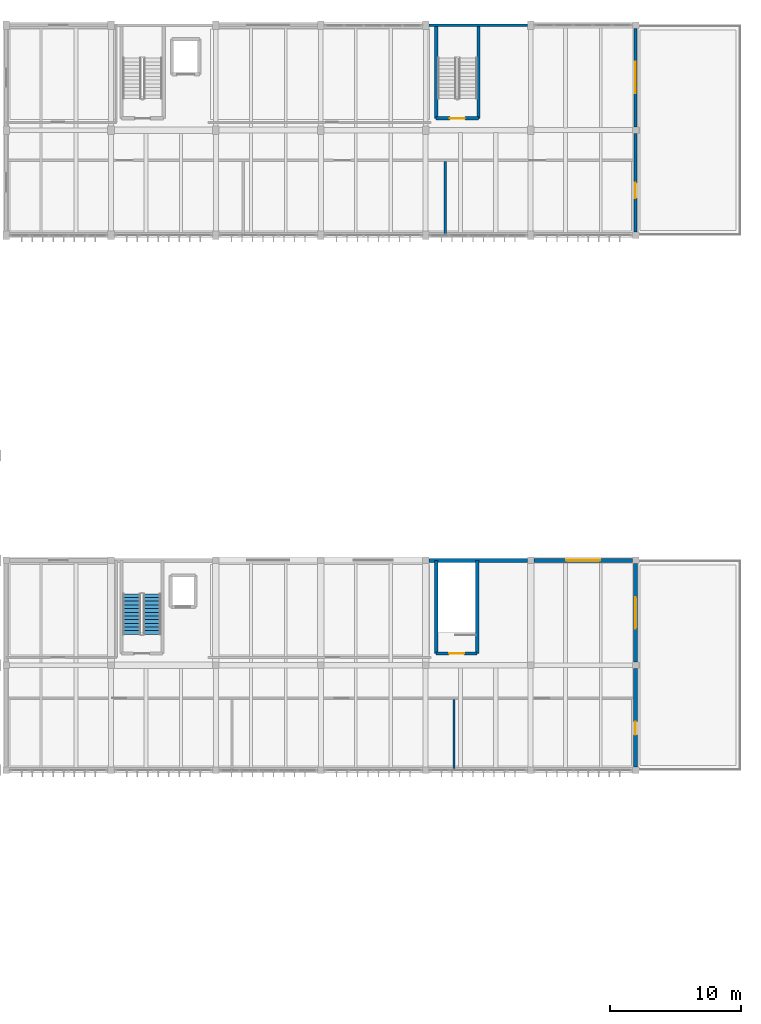
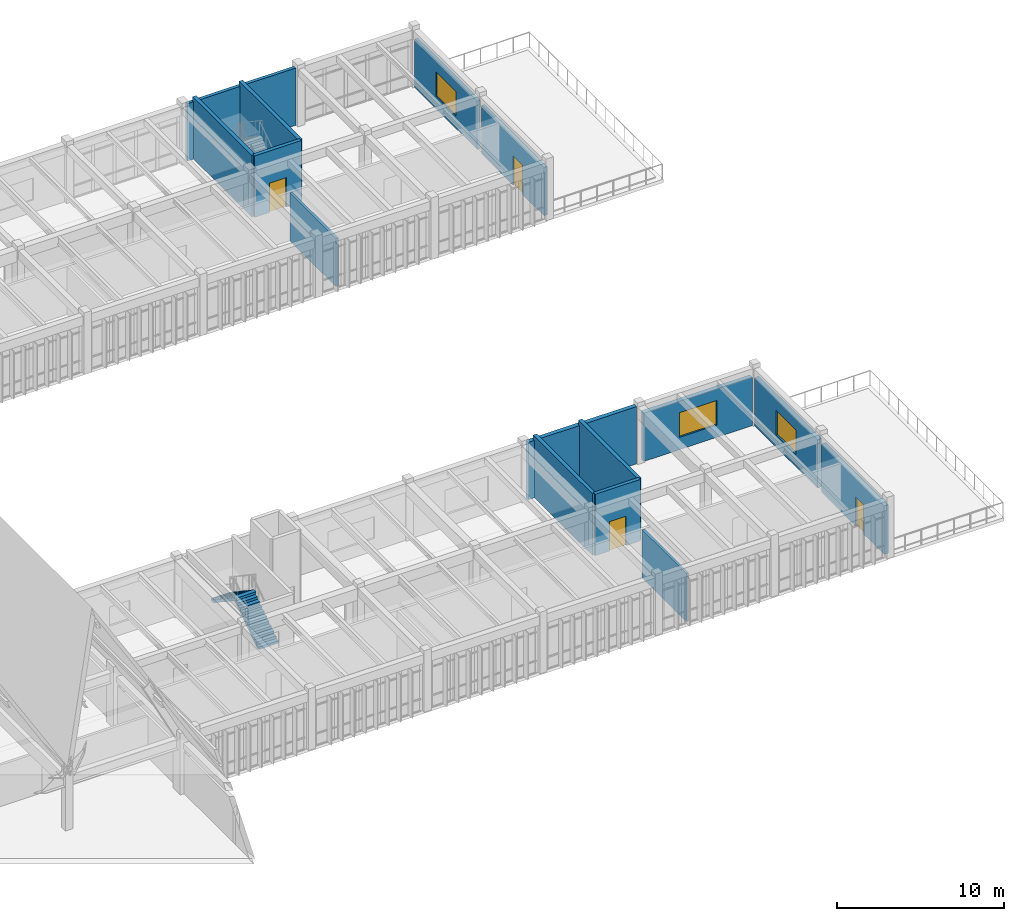
# One storey, part 56 of 72: 15 walls, 4 doors, 3 windows, 2 stair flights, 7 openings, 1 element without a shape of its own.
"""IFC4 building model written with IfcOpenShell, lengths in metres."""

from ifc_helpers import new_model, si_unit, direction, frame, frame_2d, origin, place, context, subcontext, project, spatial, polyline, rectangle, outline, extrude, material, layer, layer_set, type_object, element, fill, aggregate, save


model = new_model("IFC4")

# Units and contexts
model_context = context("Model", 3, precision=1e-05, world=origin(), true_north=direction((0.0, 1.0)))
body_context = subcontext(model_context, "Body", "Model", "MODEL_VIEW")
ifc_project = project(units=[si_unit("LENGTHUNIT", "METRE"), si_unit("AREAUNIT", "SQUARE_METRE"), si_unit("VOLUMEUNIT", "CUBIC_METRE"), si_unit("PLANEANGLEUNIT", "RADIAN"), si_unit("MASSUNIT", "GRAM", prefix="KILO")], contexts=[model_context])

# Site, building, storey
site_placement = place(None, origin())
site = spatial("IfcSite", under=ifc_project, at=site_placement, CompositionType="ELEMENT")
building_placement = place(site_placement, origin())
building = spatial("IfcBuilding", under=site, at=building_placement, Name="Tlaxcora Railside Police Headquarters", CompositionType="ELEMENT")
storey_placement = place(building_placement, frame((0.0, 0.0, 13.5)))
storey = spatial("IfcBuildingStorey", under=building, at=storey_placement, Name="L03", CompositionType="ELEMENT", Elevation=13.5)

# Walls
ifc_material_1 = material(Name="Gypsum acoustic partition board")
ifc_layer_1 = layer(ifc_material_1, 0.175048828125, Name="Gypsum acoustic partition board")
ifc_layer_set_1 = layer_set([ifc_layer_1], Name="Gypsum acoustic partition board")
wall_type_1 = type_object("IfcWallType", Name="Interior Partition Wall IW-22", PredefinedType="PARTITIONING", material=ifc_layer_set_1)
wall_1_placement = place(storey_placement, frame((136.280029296875, 76.8798828125, 0.0), z_axis=(0.0, 0.0, 1.0), x_axis=(0.0, 1.0, 0.0)))
element("IfcWall", 1, at=wall_1_placement, inside=storey, type_object=wall_type_1, Name="V6 L03 interior partition 184", PredefinedType="PARTITIONING", context=body_context, shape_type="SweptSolid", body=[
    extrude(rectangle(XDim=5.52001953125, YDim=0.175048828125, at=frame_2d((2.760009765625, 0.0))), origin(), (0.0, 0.0, 1.0), 3.52490234375),
])
ifc_layer_2 = layer(ifc_material_1, 0.159912109375, Name="Gypsum acoustic partition board")
ifc_layer_set_2 = layer_set([ifc_layer_2], Name="Gypsum acoustic partition board")
wall_type_2 = type_object("IfcWallType", Name="Interior Partition Wall IW-73", PredefinedType="PARTITIONING", material=ifc_layer_set_2)
wall_2_placement = place(storey_placement, frame((136.9580078125, 36.080078125, 0.0), z_axis=(0.0, 0.0, 1.0), x_axis=(0.0, 1.0, 0.0)))
element("IfcWall", 2, at=wall_2_placement, inside=storey, type_object=wall_type_2, Name="V7 L03 interior partition 178", PredefinedType="PARTITIONING", context=body_context, shape_type="SweptSolid", body=[
    extrude(rectangle(XDim=5.31982421875, YDim=0.159912109375, at=frame_2d((2.659912109375, 0.0))), origin(), (0.0, 0.0, 1.0), 3.52490234375),
])

# Wall, opening, door
ifc_material_2 = material(Name="Concrete C40/50", Category="concrete")
ifc_layer_3 = layer(ifc_material_2, 0.25, Name="Concrete C40/50")
ifc_layer_set_3 = layer_set([ifc_layer_3], Name="Concrete C40/50")
wall_type_3 = type_object("IfcWallType", Name="Shear Core Wall IW-13", PredefinedType="SHEAR", material=ifc_layer_set_3)
wall_3_placement = place(storey_placement, frame((135.60009765625, 85.699951171875, 0.0), z_axis=(0.0, 0.0, 1.0), x_axis=(1.0, 0.0, 0.0)))
wall_3 = element("IfcWall", 3, at=wall_3_placement, inside=storey, type_object=wall_type_3, Name="CORE-C3B L03 stair core wall S", PredefinedType="SHEAR", context=body_context, shape_type="SweptSolid", body=[
    extrude(rectangle(XDim=3.219970703125, YDim=0.25, at=frame_2d((1.60986328125, 0.0))), origin(), (0.0, 0.0, 1.0), 4.5),
])
opening_1_placement = place(wall_3_placement, frame((1.034912109375, 0.0, 0.0)))
opening_1 = element("IfcOpeningElement", 4, at=opening_1_placement, cuts=wall_3, Name="Opening SD-L03-029", PredefinedType="OPENING", context=body_context, shape_type="SweptSolid", body=[
    extrude(rectangle(XDim=1.14990234375, YDim=2.14990234375, at=frame_2d((0.574951171875, 1.074951171875))), frame((0.0, 0.135009765625, 0.0), z_axis=(0.0, -1.0, 0.0), x_axis=(1.0, 0.0, 0.0)), (0.0, 0.0, 1.0), 0.27001953125),
])
ifc_material_3 = material(Name="Steel ASTM A992 Grade 50", Category="steel")
door_type_1 = type_object("IfcDoorType", Name="Swing or Sliding Personnel Door ID-73", OperationType="NOTDEFINED", PredefinedType="DOOR", material=ifc_material_3)
door_1_placement = place(opening_1_placement, origin())
door_1 = element("IfcDoor", 5, at=door_1_placement, inside=storey, type_object=door_type_1, Name="Stair ST8 L03 enclosure fire door", OperationType="SINGLE_SWING_LEFT", OverallHeight=2.14990234375, OverallWidth=1.14990234375, PredefinedType="DOOR", context=body_context, shape_type="SweptSolid", body=[
    extrude(rectangle(XDim=1.14990234375, YDim=2.14990234375, at=frame_2d((0.574951171875, 1.074951171875))), frame((0.0, 0.02490234375, 0.0), z_axis=(0.0, -1.0, 0.0), x_axis=(1.0, 0.0, 0.0)), (0.0, 0.0, 1.0), 0.050048828125),
])
fill(opening_1, door_1)

# Walls
for number, where, z_axis, x_axis, name in (
    (6, (138.820068359375, 85.699951171875, 0.0), (0.0, 0.0, 1.0), (0.0, 1.0, 0.0), "CORE-C3B L03 stair core wall E"),
    (7, (135.60009765625, 92.800048828125, 0.0), (0.0, 0.0, 1.0), (0.0, -1.0, 0.0), "CORE-C3B L03 stair core wall W"),
):
    element("IfcWall", number, at=place(storey_placement, frame(where, z_axis=z_axis, x_axis=x_axis)), inside=storey, type_object=wall_type_3, Name=name, PredefinedType="SHEAR", context=body_context, shape_type="SweptSolid", body=[
        extrude(rectangle(XDim=7.10009765625, YDim=0.25, at=frame_2d((3.550048828125, 0.0))), origin(), (0.0, 0.0, 1.0), 4.5),
    ])

# Wall, opening, door
wall_4_placement = place(storey_placement, frame((135.60009765625, 44.89990234375, 0.0), z_axis=(0.0, 0.0, 1.0), x_axis=(1.0, 0.0, 0.0)))
wall_4 = element("IfcWall", 8, at=wall_4_placement, inside=storey, type_object=wall_type_3, Name="CORE-C7B L03 stair core wall S", PredefinedType="SHEAR", context=body_context, shape_type="SweptSolid", body=[
    extrude(rectangle(XDim=3.119873046875, YDim=0.25, at=frame_2d((1.56005859375, 0.0))), origin(), (0.0, 0.0, 1.0), 4.5),
])
opening_2_placement = place(wall_4_placement, frame((0.985107421875, 0.0, 0.0)))
opening_2 = element("IfcOpeningElement", 9, at=opening_2_placement, cuts=wall_4, Name="Opening SD-L03-054", PredefinedType="OPENING", context=body_context, shape_type="SweptSolid", body=[
    extrude(rectangle(XDim=1.14990234375, YDim=2.14990234375, at=frame_2d((0.574951171875, 1.074951171875))), frame((0.0, 0.135009765625, 0.0), z_axis=(0.0, -1.0, 0.0), x_axis=(1.0, 0.0, 0.0)), (0.0, 0.0, 1.0), 0.27001953125),
])
door_2_placement = place(opening_2_placement, origin())
door_2 = element("IfcDoor", 10, at=door_2_placement, inside=storey, type_object=door_type_1, Name="Stair ST11 L03 enclosure fire door", OperationType="SINGLE_SWING_RIGHT", OverallHeight=2.14990234375, OverallWidth=1.14990234375, PredefinedType="DOOR", context=body_context, shape_type="SweptSolid", body=[
    extrude(rectangle(XDim=1.14990234375, YDim=2.14990234375, at=frame_2d((0.574951171875, 1.074951171875))), frame((0.0, 0.02490234375, 0.0), z_axis=(0.0, -1.0, 0.0), x_axis=(1.0, 0.0, 0.0)), (0.0, 0.0, 1.0), 0.050048828125),
])
fill(opening_2, door_2)

# Walls
for number, where, z_axis, x_axis, name in (
    (11, (138.719970703125, 44.89990234375, 0.0), (0.0, 0.0, 1.0), (0.0, 1.0, 0.0), "CORE-C7B L03 stair core wall E"),
    (12, (135.60009765625, 52.0, 0.0), (0.0, 0.0, 1.0), (0.0, -1.0, 0.0), "CORE-C7B L03 stair core wall W"),
):
    element("IfcWall", number, at=place(storey_placement, frame(where, z_axis=z_axis, x_axis=x_axis)), inside=storey, type_object=wall_type_3, Name=name, PredefinedType="SHEAR", context=body_context, shape_type="SweptSolid", body=[
        extrude(rectangle(XDim=7.10009765625, YDim=0.25, at=frame_2d((3.550048828125, 0.0))), origin(), (0.0, 0.0, 1.0), 4.5),
    ])

# Wall, opening, door
ifc_material_4 = material(Name="Precast concrete C40/50", Category="concrete")
ifc_layer_4 = layer(ifc_material_4, 0.22509765625, Name="Precast concrete C40/50")
ifc_layer_set_4 = layer_set([ifc_layer_4], Name="Precast concrete C40/50")
wall_type_4 = type_object("IfcWallType", Name="Structural Bearing Wall EW-69", PredefinedType="SOLIDWALL", material=ifc_layer_set_4)
wall_5_placement = place(storey_placement, frame((150.800048828125, 77.050048828125, 0.0), z_axis=(0.0, 0.0, 1.0), x_axis=(0.0, 1.0, 0.0)))
wall_5 = element("IfcWall", 13, at=wall_5_placement, inside=storey, type_object=wall_type_4, Name="V6 L03 exterior wall 1.0", PredefinedType="SOLIDWALL", context=body_context, shape_type="SweptSolid", body=[
    extrude(rectangle(XDim=7.5, YDim=0.22509765625, at=frame_2d((3.75, 0.0))), origin(), (0.0, 0.0, 1.0), 3.5400390625),
])
opening_3_placement = place(wall_5_placement, frame((2.574951171875, 0.0, 0.0)))
opening_3 = element("IfcOpeningElement", 14, at=opening_3_placement, cuts=wall_5, Name="Opening TD-09", PredefinedType="OPENING", context=body_context, shape_type="SweptSolid", body=[
    extrude(rectangle(XDim=1.14990234375, YDim=2.14990234375, at=frame_2d((0.574951171875, 1.074951171875))), frame((0.0, 0.12255859375, 0.0), z_axis=(0.0, -1.0, 0.0), x_axis=(1.0, 0.0, 0.0)), (0.0, 0.0, 1.0), 0.2451171875),
])
ifc_material_5 = material(Name="Anodised aluminium framing", Category="aluminium")
door_type_2 = type_object("IfcDoorType", Name="Swing or Sliding Personnel Door ED-58", OperationType="NOTDEFINED", PredefinedType="DOOR", material=ifc_material_5)
door_3_placement = place(opening_3_placement, frame((1.14990234375, 0.0, 0.0), z_axis=(0.0, 0.0, 1.0), x_axis=(-1.0, 0.0, 0.0)))
door_3 = element("IfcDoor", 15, at=door_3_placement, inside=storey, type_object=door_type_2, Name="V6 L03 planted terrace access door", OperationType="SINGLE_SWING_LEFT", OverallHeight=2.14990234375, OverallWidth=1.14990234375, PredefinedType="DOOR", context=body_context, shape_type="SweptSolid", body=[
    extrude(rectangle(XDim=1.14990234375, YDim=2.14990234375, at=frame_2d((0.574951171875, 1.074951171875))), frame((0.0, 0.02490234375, 0.0), z_axis=(0.0, -1.0, 0.0), x_axis=(1.0, 0.0, 0.0)), (0.0, 0.0, 1.0), 0.050048828125),
])
fill(opening_3, door_3)

# Wall, opening, window
wall_6_placement = place(storey_placement, frame((150.800048828125, 85.050048828125, 0.0), z_axis=(0.0, 0.0, 1.0), x_axis=(0.0, 1.0, 0.0)))
wall_6 = element("IfcWall", 16, at=wall_6_placement, inside=storey, type_object=wall_type_4, Name="V6 L03 exterior wall 1.1", PredefinedType="SOLIDWALL", context=body_context, shape_type="SweptSolid", body=[
    extrude(rectangle(XDim=7.5, YDim=0.22509765625, at=frame_2d((3.75, 0.0))), origin(), (0.0, 0.0, 1.0), 3.5400390625),
])
opening_4_placement = place(wall_6_placement, frame((2.550048828125, 0.0, 0.89990234375)))
opening_4 = element("IfcOpeningElement", 17, at=opening_4_placement, cuts=wall_6, Name="Opening WN-76", PredefinedType="OPENING", context=body_context, shape_type="SweptSolid", body=[
    extrude(rectangle(XDim=2.39990234375, YDim=1.800048828125, at=frame_2d((1.199951171875, 0.89990234375))), frame((0.0, 0.12255859375, 0.0), z_axis=(0.0, -1.0, 0.0), x_axis=(1.0, 0.0, 0.0)), (0.0, 0.0, 1.0), 0.2451171875),
])
ifc_material_6 = material(Name="Thermally broken low-E insulated glazing", Category="glass")
window_type_1 = type_object("IfcWindowType", Name="Exterior Framed or Circular Window WN-76", PartitioningType="SINGLE_PANEL", PredefinedType="WINDOW", material=ifc_material_6)
window_1_placement = place(opening_4_placement, origin())
window_1 = element("IfcWindow", 18, at=window_1_placement, inside=storey, type_object=window_type_1, Name="V6 L03 window 180", OverallHeight=1.800048828125, OverallWidth=2.39990234375, PartitioningType="SINGLE_PANEL", PredefinedType="WINDOW", context=body_context, shape_type="SweptSolid", body=[
    extrude(rectangle(XDim=2.39990234375, YDim=1.800048828125, at=frame_2d((1.199951171875, 0.89990234375))), frame((0.0, 0.030029296875, 0.0), z_axis=(0.0, -1.0, 0.0), x_axis=(1.0, 0.0, 0.0)), (0.0, 0.0, 1.0), 0.06005859375),
])
fill(opening_4, window_1)

# Wall
wall_7_placement = place(storey_placement, frame((142.550048828125, 92.800048828125, 0.0), z_axis=(0.0, 0.0, 1.0), x_axis=(-1.0, 0.0, 0.0)))
element("IfcWall", 19, at=wall_7_placement, inside=storey, type_object=wall_type_4, Name="V6 L03 exterior wall 2.1", PredefinedType="SOLIDWALL", context=body_context, shape_type="SweptSolid", body=[
    extrude(rectangle(XDim=7.5, YDim=0.22509765625, at=frame_2d((3.75, 0.0))), origin(), (0.0, 0.0, 1.0), 4.18994140625),
])

# Wall, opening, door
ifc_material_7 = material(Name="Pressed clay brick masonry", Category="masonry")
ifc_layer_5 = layer(ifc_material_7, 0.294921875, Name="Pressed clay brick masonry")
ifc_layer_set_5 = layer_set([ifc_layer_5], Name="Pressed clay brick masonry")
wall_type_5 = type_object("IfcWallType", Name="Structural Bearing Wall EW-74", PredefinedType="SOLIDWALL", material=ifc_layer_set_5)
wall_8_placement = place(storey_placement, frame((150.800048828125, 36.25, 0.0), z_axis=(0.0, 0.0, 1.0), x_axis=(0.0, 1.0, 0.0)))
wall_8 = element("IfcWall", 20, at=wall_8_placement, inside=storey, type_object=wall_type_5, Name="V7 L03 exterior wall 1.0", PredefinedType="SOLIDWALL", context=body_context, shape_type="SweptSolid", body=[
    extrude(rectangle(XDim=7.5, YDim=0.294921875, at=frame_2d((3.75, 0.0))), origin(), (0.0, 0.0, 1.0), 3.5400390625),
])
opening_5_placement = place(wall_8_placement, frame((2.449951171875, 0.0, 0.0)))
opening_5 = element("IfcOpeningElement", 21, at=opening_5_placement, cuts=wall_8, Name="Opening TD-11", PredefinedType="OPENING", context=body_context, shape_type="SweptSolid", body=[
    extrude(rectangle(XDim=1.0, YDim=2.14990234375, at=frame_2d((0.5, 1.074951171875))), frame((0.0, 0.157470703125, 0.0), z_axis=(0.0, -1.0, 0.0), x_axis=(1.0, 0.0, 0.0)), (0.0, 0.0, 1.0), 0.31494140625),
])
door_type_3 = type_object("IfcDoorType", Name="Swing or Sliding Personnel Door ED-65", OperationType="NOTDEFINED", PredefinedType="DOOR", material=ifc_material_5)
door_4_placement = place(opening_5_placement, frame((1.0, 0.0, 0.0), z_axis=(0.0, 0.0, 1.0), x_axis=(-1.0, 0.0, 0.0)))
door_4 = element("IfcDoor", 22, at=door_4_placement, inside=storey, type_object=door_type_3, Name="V7 L03 planted terrace access door", OperationType="SINGLE_SWING_LEFT", OverallHeight=2.14990234375, OverallWidth=1.0, PredefinedType="DOOR", context=body_context, shape_type="SweptSolid", body=[
    extrude(rectangle(XDim=1.0, YDim=2.14990234375, at=frame_2d((0.5, 1.074951171875))), frame((0.0, 0.02490234375, 0.0), z_axis=(0.0, -1.0, 0.0), x_axis=(1.0, 0.0, 0.0)), (0.0, 0.0, 1.0), 0.050048828125),
])
fill(opening_5, door_4)

# Wall, opening, window
wall_9_placement = place(storey_placement, frame((150.800048828125, 44.25, 0.0), z_axis=(0.0, 0.0, 1.0), x_axis=(0.0, 1.0, 0.0)))
wall_9 = element("IfcWall", 23, at=wall_9_placement, inside=storey, type_object=wall_type_5, Name="V7 L03 exterior wall 1.1", PredefinedType="SOLIDWALL", context=body_context, shape_type="SweptSolid", body=[
    extrude(rectangle(XDim=7.5, YDim=0.294921875, at=frame_2d((3.75, 0.0))), origin(), (0.0, 0.0, 1.0), 3.5400390625),
])
opening_6_placement = place(wall_9_placement, frame((2.550048828125, 0.0, 0.89990234375)))
opening_6 = element("IfcOpeningElement", 24, at=opening_6_placement, cuts=wall_9, Name="Opening WN-76", PredefinedType="OPENING", context=body_context, shape_type="SweptSolid", body=[
    extrude(rectangle(XDim=2.39990234375, YDim=1.800048828125, at=frame_2d((1.199951171875, 0.89990234375))), frame((0.0, 0.157470703125, 0.0), z_axis=(0.0, -1.0, 0.0), x_axis=(1.0, 0.0, 0.0)), (0.0, 0.0, 1.0), 0.31494140625),
])
window_2_placement = place(opening_6_placement, origin())
window_2 = element("IfcWindow", 25, at=window_2_placement, inside=storey, type_object=window_type_1, Name="V7 L03 window 213", OverallHeight=1.800048828125, OverallWidth=2.39990234375, PartitioningType="SINGLE_PANEL", PredefinedType="WINDOW", context=body_context, shape_type="SweptSolid", body=[
    extrude(rectangle(XDim=2.39990234375, YDim=1.800048828125, at=frame_2d((1.199951171875, 0.89990234375))), frame((0.0, 0.030029296875, 0.0), z_axis=(0.0, -1.0, 0.0), x_axis=(1.0, 0.0, 0.0)), (0.0, 0.0, 1.0), 0.06005859375),
])
fill(opening_6, window_2)

wall_10_placement = place(storey_placement, frame((150.550048828125, 52.0, 0.0), z_axis=(0.0, 0.0, 1.0), x_axis=(-1.0, 0.0, 0.0)))
wall_10 = element("IfcWall", 26, at=wall_10_placement, inside=storey, type_object=wall_type_5, Name="V7 L03 exterior wall 2.0", PredefinedType="SOLIDWALL", context=body_context, shape_type="SweptSolid", body=[
    extrude(rectangle(XDim=7.5, YDim=0.294921875, at=frame_2d((3.75, 0.0))), origin(), (0.0, 0.0, 1.0), 3.5400390625),
])
opening_7_placement = place(wall_10_placement, frame((2.449951171875, 0.0, 0.89990234375)))
opening_7 = element("IfcOpeningElement", 27, at=opening_7_placement, cuts=wall_10, Name="Opening WN-71", PredefinedType="OPENING", context=body_context, shape_type="SweptSolid", body=[
    extrude(rectangle(XDim=2.60009765625, YDim=1.800048828125, at=frame_2d((1.300048828125, 0.89990234375))), frame((0.0, 0.157470703125, 0.0), z_axis=(0.0, -1.0, 0.0), x_axis=(1.0, 0.0, 0.0)), (0.0, 0.0, 1.0), 0.31494140625),
])
window_type_2 = type_object("IfcWindowType", Name="Exterior Framed or Circular Window WN-71", PartitioningType="SINGLE_PANEL", PredefinedType="WINDOW", material=ifc_material_6)
window_3_placement = place(opening_7_placement, origin())
window_3 = element("IfcWindow", 28, at=window_3_placement, inside=storey, type_object=window_type_2, Name="V7 L03 window 214", OverallHeight=1.800048828125, OverallWidth=2.60009765625, PartitioningType="SINGLE_PANEL", PredefinedType="WINDOW", context=body_context, shape_type="SweptSolid", body=[
    extrude(rectangle(XDim=2.60009765625, YDim=1.800048828125, at=frame_2d((1.300048828125, 0.89990234375))), frame((0.0, 0.030029296875, 0.0), z_axis=(0.0, -1.0, 0.0), x_axis=(1.0, 0.0, 0.0)), (0.0, 0.0, 1.0), 0.06005859375),
])
fill(opening_7, window_3)

# Wall
wall_11_placement = place(storey_placement, frame((142.550048828125, 52.0, 0.0), z_axis=(0.0, 0.0, 1.0), x_axis=(-1.0, 0.0, 0.0)))
element("IfcWall", 29, at=wall_11_placement, inside=storey, type_object=wall_type_5, Name="V7 L03 exterior wall 2.1", PredefinedType="SOLIDWALL", context=body_context, shape_type="SweptSolid", body=[
    extrude(rectangle(XDim=7.5, YDim=0.294921875, at=frame_2d((3.75, 0.0))), origin(), (0.0, 0.0, 1.0), 4.18994140625),
])

# Stair, stair flights
stair_type = type_object("IfcStairType", Name="Half-Turn Dog-Leg Stair ST-97", PredefinedType="HALF_TURN_STAIR", material=ifc_material_2)
stair_placement = place(storey_placement, origin())
stair = element("IfcStair", 30, at=stair_placement, inside=storey, type_object=stair_type, Name="L03 ST5", PredefinedType="HALF_TURN_STAIR")
stair_flight_type = type_object("IfcStairFlightType", Name="Straight Stair Flight SF-87", PredefinedType="STRAIGHT", material=ifc_material_2)
stair_flight_1_placement = place(storey_placement, frame((113.93505859375, 46.360107421875, 0.0), z_axis=(0.0, 0.0, 1.0), x_axis=(0.0, 1.0, 0.0)))
stair_flight_1 = element("IfcStairFlight", 31, at=stair_flight_1_placement, type_object=stair_flight_type, Name="ST5 flight 1", NumberOfRisers=12, NumberOfTreads=11, PredefinedType="STRAIGHT", RiserHeight=0.1875, TreadLength=0.28, context=body_context, shape_type="SweptSolid", body=[
    extrude(outline(polyline([(0.0, 0.0), (0.0, 0.1875), (0.280029296875, 0.1875), (0.280029296875, 0.375), (0.56005859375, 0.375), (0.56005859375, 0.5625), (0.840087890625, 0.5625), (0.840087890625, 0.75), (1.1201171875, 0.75), (1.1201171875, 0.9375), (1.39990234375, 0.9375), (1.39990234375, 1.125), (1.679931640625, 1.125), (1.679931640625, 1.3125), (1.9599609375, 1.3125), (1.9599609375, 1.5), (2.239990234375, 1.5), (2.239990234375, 1.6875), (2.52001953125, 1.6875), (2.52001953125, 1.875), (2.800048828125, 1.875), (2.800048828125, 2.0625), (3.080078125, 2.0625), (3.080078125, 2.25), (3.080078125, 1.882080078125), (0.26953125, 0.0), (0.0, 0.0)])), frame((0.0, 0.675048828125, 0.0), z_axis=(0.0, -1.0, 0.0), x_axis=(1.0, 0.0, 0.0)), (0.0, 0.0, 1.0), 1.35009765625),
])
stair_flight_2_placement = place(storey_placement, frame((112.385009765625, 49.43994140625, 2.25), z_axis=(0.0, 0.0, 1.0), x_axis=(0.0, -1.0, 0.0)))
stair_flight_2 = element("IfcStairFlight", 32, at=stair_flight_2_placement, type_object=stair_flight_type, Name="ST5 flight 2", NumberOfRisers=12, NumberOfTreads=11, PredefinedType="STRAIGHT", RiserHeight=0.1875, TreadLength=0.28, context=body_context, shape_type="SweptSolid", body=[
    extrude(outline(polyline([(0.0, 0.0), (0.0, 0.1875), (0.280029296875, 0.1875), (0.280029296875, 0.375), (0.56005859375, 0.375), (0.56005859375, 0.5625), (0.840087890625, 0.5625), (0.840087890625, 0.75), (1.1201171875, 0.75), (1.1201171875, 0.9375), (1.39990234375, 0.9375), (1.39990234375, 1.125), (1.679931640625, 1.125), (1.679931640625, 1.3125), (1.9599609375, 1.3125), (1.9599609375, 1.5), (2.239990234375, 1.5), (2.239990234375, 1.6875), (2.52001953125, 1.6875), (2.52001953125, 1.875), (2.800048828125, 1.875), (2.800048828125, 2.0625), (3.080078125, 2.0625), (3.080078125, 2.25), (3.080078125, 1.882080078125), (0.26953125, 0.0), (0.0, 0.0)])), frame((0.0, 0.675048828125, 0.0), z_axis=(0.0, -1.0, 0.0), x_axis=(1.0, 0.0, 0.0)), (0.0, 0.0, 1.0), 1.35009765625),
])
aggregate(stair, [stair_flight_1, stair_flight_2])

save(model, "model.ifc")
